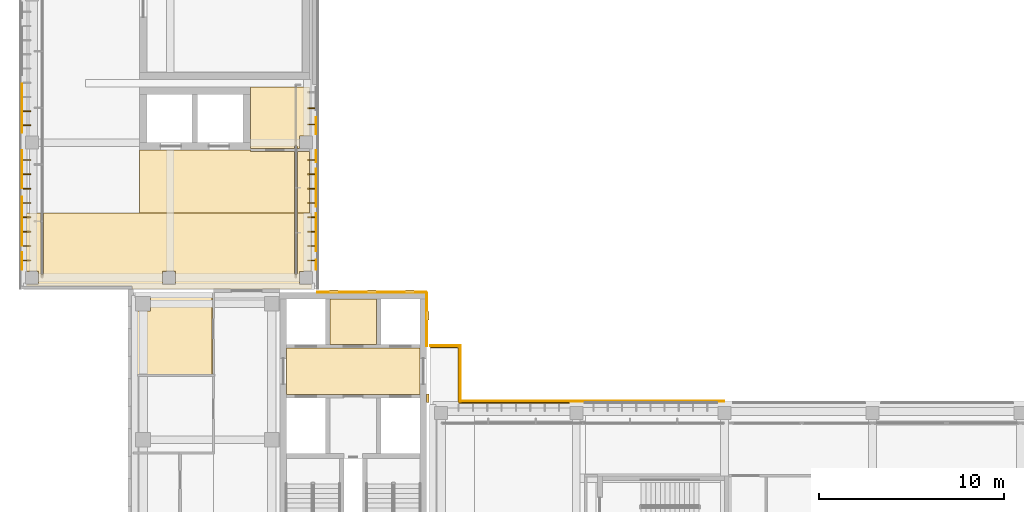
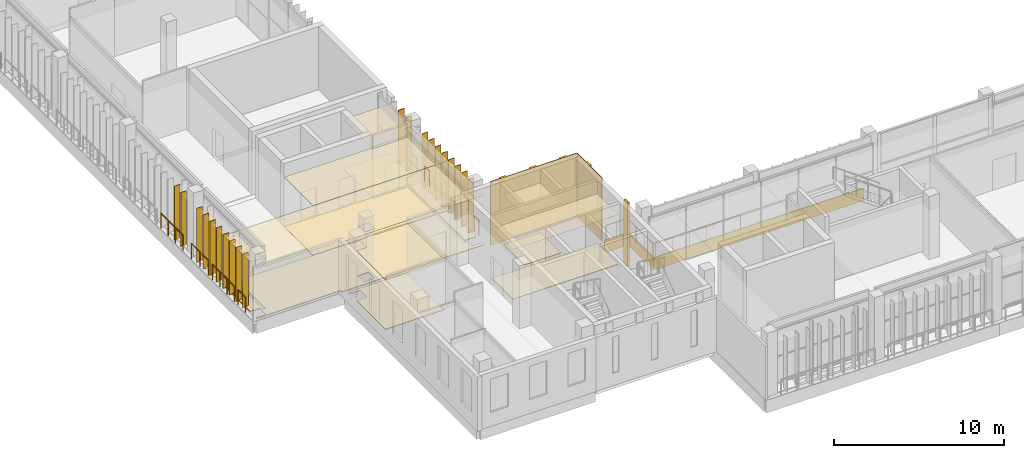
# One storey, part 32 of 46: 24 coverings, 20 shading devices, 10 railings.
"""IFC4 building model written with IfcOpenShell, lengths in metres."""

from ifc_helpers import new_model, si_unit, direction, frame, frame_2d, origin, origin_2d, place, context, subcontext, project, spatial, polyline, rectangle, circle, outline, extrude, material, layer, layer_set, type_object, element, save


model = new_model("IFC4")

# Units and contexts
model_context = context("Model", 3, precision=1e-05, world=origin(), true_north=direction((0.0, 1.0)))
body_context = subcontext(model_context, "Body", "Model", "MODEL_VIEW")
ifc_project = project(units=[si_unit("LENGTHUNIT", "METRE"), si_unit("AREAUNIT", "SQUARE_METRE"), si_unit("VOLUMEUNIT", "CUBIC_METRE"), si_unit("PLANEANGLEUNIT", "RADIAN"), si_unit("MASSUNIT", "GRAM", prefix="KILO")], contexts=[model_context])

# Site, building, storey
site_placement = place(None, origin())
site = spatial("IfcSite", under=ifc_project, at=site_placement, CompositionType="ELEMENT")
building_placement = place(site_placement, origin())
building = spatial("IfcBuilding", under=site, at=building_placement, Name="Lantern Court Media Centre", CompositionType="ELEMENT")
storey_placement = place(building_placement, frame((0.0, 0.0, 28.800048828125)))
storey = spatial("IfcBuildingStorey", under=building, at=storey_placement, Name="L06", CompositionType="ELEMENT", Elevation=28.800048828125)

# Coverings
ifc_material_1 = material(Name="Carpet")
ifc_layer_1 = layer(ifc_material_1, 0.050048828125)
ifc_layer_set_1 = layer_set([ifc_layer_1], Name="Carpet")
covering_type_1 = type_object("IfcCoveringType", Name="Carpet floor finish", PredefinedType="FLOORING", material=ifc_layer_set_1)
covering_1_placement = place(storey_placement, origin())
element("IfcCovering", 1, at=covering_1_placement, inside=storey, type_object=covering_type_1, Name="Library Administration Office floor finish", PredefinedType="FLOORING", context=body_context, shape_type="SweptSolid", body=[
    extrude(outline(polyline([(8.300048828125, 63.89990234375), (12.33251953125, 63.89990234375), (12.33251953125, 59.48193359375), (8.300048828125, 59.48193359375), (8.300048828125, 62.89501953125), (9.0048828125, 62.89990234375), (9.004150390625, 63.702880859375), (8.300048828125, 63.705078125), (8.300048828125, 63.89990234375)])), origin(), (0.0, 0.0, 1.0), 0.050048828125),
])
ifc_material_2 = material(Name="Ceramic tile")
ifc_layer_2 = layer(ifc_material_2, 0.050048828125)
ifc_layer_set_2 = layer_set([ifc_layer_2], Name="Ceramic tile")
covering_type_2 = type_object("IfcCoveringType", Name="Ceramic tile floor finish", PredefinedType="FLOORING", material=ifc_layer_set_2)
covering_2_placement = place(storey_placement, origin())
element("IfcCovering", 2, at=covering_2_placement, inside=storey, type_object=covering_type_2, Name="Accessible WC floor finish", PredefinedType="FLOORING", context=body_context, shape_type="SweptSolid", body=[
    extrude(outline(polyline([(17.60009765625, 75.0), (17.60009765625, 72.35498046875), (17.046142578125, 72.353271484375), (17.044921875, 71.679931640625), (16.929931640625, 71.679931640625), (16.925048828125, 71.804931640625), (16.771728515625, 71.803955078125), (16.77001953125, 71.679931640625), (14.405029296875, 71.679931640625), (14.405029296875, 75.0), (17.60009765625, 75.0)])), origin(), (0.0, 0.0, 1.0), 0.050048828125),
])
covering_3_placement = place(storey_placement, origin())
element("IfcCovering", 3, at=covering_3_placement, inside=storey, type_object=covering_type_2, Name="Accessible WC floor finish", PredefinedType="FLOORING", context=body_context, shape_type="SweptSolid", body=[
    extrude(outline(polyline([(21.195068359375, 63.544921875), (21.195068359375, 61.10498046875), (18.705078125, 61.10498046875), (18.705078125, 63.544921875), (21.195068359375, 63.544921875)])), origin(), (0.0, 0.0, 1.0), 0.050048828125),
])

# Railings
ifc_material_3 = material(Name="Powder-coated steel", Category="steel")
railing_type = type_object("IfcRailingType", Name="Floor edge guard 1100", PredefinedType="GUARDRAIL", material=ifc_material_3)
railing_1_placement = place(storey_placement, frame((2.06005859375, 65.158935546875, 0.0)))
element("IfcRailing", 4, at=railing_1_placement, inside=storey, type_object=railing_type, Name="L06 edge guard 207", PredefinedType="GUARDRAIL", context=body_context, shape_type="SweptSolid", body=[
    extrude(circle(Radius=0.02392578125, at=origin_2d()), frame((0.0, 0.0, 1.076171875), z_axis=(0.0, 1.0, 0.0), x_axis=(-1.0, 0.0, 0.0)), (0.0, 0.0, 1.0), 0.899169921875),
    extrude(circle(Radius=0.02099609375, at=origin_2d()), origin(), (0.0, 0.0, 1.0), 1.052001953125),
    extrude(circle(Radius=0.02099609375, at=origin_2d()), frame((0.0, 0.899169921875, 0.0)), (0.0, 0.0, 1.0), 1.052001953125),
])
railing_2_placement = place(storey_placement, frame((2.06005859375, 66.4580078125, 0.0)))
element("IfcRailing", 5, at=railing_2_placement, inside=storey, type_object=railing_type, Name="L06 edge guard 208", PredefinedType="GUARDRAIL", context=body_context, shape_type="SweptSolid", body=[
    extrude(circle(Radius=0.02392578125, at=origin_2d()), frame((0.0, 0.0, 1.076171875), z_axis=(0.0, 1.0, 0.0), x_axis=(-1.0, 0.0, 0.0)), (0.0, 0.0, 1.0), 2.597900390625),
    extrude(circle(Radius=0.02099609375, at=origin_2d()), origin(), (0.0, 0.0, 1.0), 1.052001953125),
    extrude(circle(Radius=0.02099609375, at=origin_2d()), frame((0.0, 0.865966796875, 0.0)), (0.0, 0.0, 1.0), 1.052001953125),
    extrude(circle(Radius=0.02099609375, at=origin_2d()), frame((0.0, 1.73193359375, 0.0)), (0.0, 0.0, 1.0), 1.052001953125),
    extrude(circle(Radius=0.02099609375, at=origin_2d()), frame((0.0, 2.597900390625, 0.0)), (0.0, 0.0, 1.0), 1.052001953125),
])
railing_3_placement = place(storey_placement, frame((2.06005859375, 69.554931640625, 0.0)))
element("IfcRailing", 6, at=railing_3_placement, inside=storey, type_object=railing_type, Name="L06 edge guard 209", PredefinedType="GUARDRAIL", context=body_context, shape_type="SweptSolid", body=[
    extrude(circle(Radius=0.02392578125, at=origin_2d()), frame((0.0, 0.0, 1.076171875), z_axis=(0.0, 1.0, 0.0), x_axis=(-1.0, 0.0, 0.0)), (0.0, 0.0, 1.0), 1.9990234375),
    extrude(circle(Radius=0.02099609375, at=origin_2d()), origin(), (0.0, 0.0, 1.0), 1.052001953125),
    extrude(circle(Radius=0.02099609375, at=origin_2d()), frame((0.0, 0.99951171875, 0.0)), (0.0, 0.0, 1.0), 1.052001953125),
    extrude(circle(Radius=0.02099609375, at=origin_2d()), frame((0.0, 1.9990234375, 0.0)), (0.0, 0.0, 1.0), 1.052001953125),
])
railing_4_placement = place(storey_placement, frame((2.06005859375, 72.552978515625, 0.0)))
element("IfcRailing", 7, at=railing_4_placement, inside=storey, type_object=railing_type, Name="L06 edge guard 210", PredefinedType="GUARDRAIL", context=body_context, shape_type="SweptSolid", body=[
    extrude(circle(Radius=0.02392578125, at=origin_2d()), frame((0.0, 0.0, 1.076171875), z_axis=(0.0, 1.0, 0.0), x_axis=(-1.0, 0.0, 0.0)), (0.0, 0.0, 1.0), 2.597900390625),
    extrude(circle(Radius=0.02099609375, at=origin_2d()), origin(), (0.0, 0.0, 1.0), 1.052001953125),
    extrude(circle(Radius=0.02099609375, at=origin_2d()), frame((0.0, 0.865966796875, 0.0)), (0.0, 0.0, 1.0), 1.052001953125),
    extrude(circle(Radius=0.02099609375, at=origin_2d()), frame((0.0, 1.73193359375, 0.0)), (0.0, 0.0, 1.0), 1.052001953125),
    extrude(circle(Radius=0.02099609375, at=origin_2d()), frame((0.0, 2.597900390625, 0.0)), (0.0, 0.0, 1.0), 1.052001953125),
])
railing_5_placement = place(storey_placement, frame((17.93994140625, 73.35888671875, 0.0)))
element("IfcRailing", 8, at=railing_5_placement, inside=storey, type_object=railing_type, Name="L06 edge guard 227", PredefinedType="GUARDRAIL", context=body_context, shape_type="SweptSolid", body=[
    extrude(circle(Radius=0.02392578125, at=origin_2d()), frame((0.0, 0.0, 1.076171875), z_axis=(0.0, -1.0, 0.0), x_axis=(1.0, 0.0, 0.0)), (0.0, 0.0, 1.0), 0.89892578125),
    extrude(circle(Radius=0.02099609375, at=origin_2d()), origin(), (0.0, 0.0, 1.0), 1.052001953125),
    extrude(circle(Radius=0.02099609375, at=origin_2d()), frame((0.0, -0.89892578125, 0.0)), (0.0, 0.0, 1.0), 1.052001953125),
])
railing_6_placement = place(storey_placement, frame((17.93994140625, 71.56005859375, 0.0)))
element("IfcRailing", 9, at=railing_6_placement, inside=storey, type_object=railing_type, Name="L06 edge guard 228", PredefinedType="GUARDRAIL", context=body_context, shape_type="SweptSolid", body=[
    extrude(circle(Radius=0.02392578125, at=origin_2d()), frame((0.0, 0.0, 1.076171875), z_axis=(0.0, -1.0, 0.0), x_axis=(1.0, 0.0, 0.0)), (0.0, 0.0, 1.0), 0.59912109375),
    extrude(circle(Radius=0.02099609375, at=origin_2d()), origin(), (0.0, 0.0, 1.0), 1.052001953125),
    extrude(circle(Radius=0.02099609375, at=origin_2d()), frame((0.0, -0.59912109375, 0.0)), (0.0, 0.0, 1.0), 1.052001953125),
])
for number, where, name in (
    (10, (17.93994140625, 70.56103515625, 0.0), "L06 edge guard 229"),
    (11, (17.93994140625, 68.1630859375, 0.0), "L06 edge guard 230"),
):
    element("IfcRailing", number, at=place(storey_placement, frame(where)), inside=storey, type_object=railing_type, Name=name, PredefinedType="GUARDRAIL", context=body_context, shape_type="SweptSolid", body=[
        extrude(circle(Radius=0.02392578125, at=origin_2d()), frame((0.0, 0.0, 1.076171875), z_axis=(0.0, -1.0, 0.0), x_axis=(1.0, 0.0, 0.0)), (0.0, 0.0, 1.0), 1.998046875),
        extrude(circle(Radius=0.02099609375, at=origin_2d()), origin(), (0.0, 0.0, 1.0), 1.052001953125),
        extrude(circle(Radius=0.02099609375, at=origin_2d()), frame((0.0, -0.9990234375, 0.0)), (0.0, 0.0, 1.0), 1.052001953125),
        extrude(circle(Radius=0.02099609375, at=origin_2d()), frame((0.0, -1.998046875, 0.0)), (0.0, 0.0, 1.0), 1.052001953125),
    ])
railing_7_placement = place(storey_placement, frame((17.93994140625, 65.6650390625, 0.0)))
element("IfcRailing", 12, at=railing_7_placement, inside=storey, type_object=railing_type, Name="L06 edge guard 231", PredefinedType="GUARDRAIL", context=body_context, shape_type="SweptSolid", body=[
    extrude(circle(Radius=0.02392578125, at=origin_2d()), frame((0.0, 0.0, 1.076171875), z_axis=(0.0, -1.0, 0.0), x_axis=(1.0, 0.0, 0.0)), (0.0, 0.0, 1.0), 0.4990234375),
    extrude(circle(Radius=0.02099609375, at=origin_2d()), origin(), (0.0, 0.0, 1.0), 1.052001953125),
    extrude(circle(Radius=0.02099609375, at=origin_2d()), frame((0.0, -0.4990234375, 0.0)), (0.0, 0.0, 1.0), 1.052001953125),
])
railing_8_placement = place(storey_placement, frame((24.159912109375, 60.93994140625, 0.0)))
element("IfcRailing", 13, at=railing_8_placement, inside=storey, type_object=railing_type, Name="L06 edge guard 232", PredefinedType="GUARDRAIL", context=body_context, shape_type="SweptSolid", body=[
    extrude(circle(Radius=0.02392578125, at=origin_2d()), frame((0.0, 0.0, 1.076171875), z_axis=(1.0, 0.0, 0.0), x_axis=(0.0, 1.0, 0.0)), (0.0, 0.0, 1.0), 1.400146484375),
    extrude(circle(Radius=0.02392578125, at=origin_2d()), frame((1.400146484375, 0.0, 1.076171875), z_axis=(0.96996776307, -0.243233506336, 0.0), x_axis=(0.243233506336, 0.96996776307, 0.0)), (0.0, 0.0, 1.0), 0.082275390625),
    extrude(circle(Radius=0.02392578125, at=origin_2d()), frame((1.47998046875, -0.02001953125, 1.076171875), z_axis=(0.0, -1.0, 0.0), x_axis=(1.0, 0.0, 0.0)), (0.0, 0.0, 1.0), 2.89892578125),
    extrude(circle(Radius=0.02392578125, at=origin_2d()), frame((1.47998046875, -2.9189453125, 1.076171875), z_axis=(0.533094614395, -0.846055631801, 0.0), x_axis=(0.846055631801, 0.533094614395, 0.0)), (0.0, 0.0, 1.0), 0.092041015625),
    extrude(circle(Radius=0.02392578125, at=origin_2d()), frame((1.529052734375, -2.996826171875, 1.076171875), z_axis=(0.999497701731, -0.031691390543, 0.0), x_axis=(0.031691390543, 0.999497701731, 0.0)), (0.0, 0.0, 1.0), 0.10009765625),
    extrude(circle(Radius=0.02392578125, at=origin_2d()), frame((1.629150390625, -3.0, 1.076171875), z_axis=(1.0, 0.0, 0.0), x_axis=(0.0, 1.0, 0.0)), (0.0, 0.0, 1.0), 5.7978515625),
    extrude(circle(Radius=0.02099609375, at=origin_2d()), origin(), (0.0, 0.0, 1.0), 1.052001953125),
    extrude(circle(Radius=0.02099609375, at=origin_2d()), frame((0.7001953125, 0.0, 0.0)), (0.0, 0.0, 1.0), 1.052001953125),
    extrude(circle(Radius=0.02099609375, at=origin_2d()), frame((1.400146484375, 0.0, 0.0)), (0.0, 0.0, 1.0), 1.052001953125),
    extrude(circle(Radius=0.02099609375, at=origin_2d()), frame((1.47998046875, -0.02001953125, 0.0)), (0.0, 0.0, 1.0), 1.052001953125),
    extrude(circle(Radius=0.02099609375, at=origin_2d()), frame((1.47998046875, -0.986328125, 0.0)), (0.0, 0.0, 1.0), 1.052001953125),
    extrude(circle(Radius=0.02099609375, at=origin_2d()), frame((1.47998046875, -1.95263671875, 0.0)), (0.0, 0.0, 1.0), 1.052001953125),
    extrude(circle(Radius=0.02099609375, at=origin_2d()), frame((1.47998046875, -2.9189453125, 0.0)), (0.0, 0.0, 1.0), 1.052001953125),
    extrude(circle(Radius=0.02099609375, at=origin_2d()), frame((1.529052734375, -2.996826171875, 0.0)), (0.0, 0.0, 1.0), 1.052001953125),
    extrude(circle(Radius=0.02099609375, at=origin_2d()), frame((1.629150390625, -3.0, 0.0)), (0.0, 0.0, 1.0), 1.052001953125),
    extrude(circle(Radius=0.02099609375, at=origin_2d()), frame((2.788818359375, -3.0, 0.0)), (0.0, 0.0, 1.0), 1.052001953125),
    extrude(circle(Radius=0.02099609375, at=origin_2d()), frame((3.9482421875, -3.0, 0.0)), (0.0, 0.0, 1.0), 1.052001953125),
    extrude(circle(Radius=0.02099609375, at=origin_2d()), frame((5.10791015625, -3.0, 0.0)), (0.0, 0.0, 1.0), 1.052001953125),
    extrude(circle(Radius=0.02099609375, at=origin_2d()), frame((6.267333984375, -3.0, 0.0)), (0.0, 0.0, 1.0), 1.052001953125),
    extrude(circle(Radius=0.02099609375, at=origin_2d()), frame((7.427001953125, -3.0, 0.0)), (0.0, 0.0, 1.0), 1.052001953125),
])

# Coverings
ifc_material_4 = material(Name="White glass-fibre reinforced cement cladding", Category="concrete")
ifc_layer_3 = layer(ifc_material_4, 0.050048828125)
ifc_layer_set_3 = layer_set([ifc_layer_3], Name="White glass-fibre reinforced cement cladding")
covering_type_3 = type_object("IfcCoveringType", Name="Floor-edge band 50", PredefinedType="CLADDING", material=ifc_layer_set_3)
covering_4_placement = place(storey_placement, frame((25.75, 58.02490234375, -0.900146484375), z_axis=(0.0, 0.0, 1.0), x_axis=(1.0, 0.0, 0.0)))
element("IfcCovering", 14, at=covering_4_placement, inside=storey, type_object=covering_type_3, Name="Floor-edge band S inner L06", PredefinedType="CLADDING", context=body_context, shape_type="SweptSolid", body=[
    extrude(rectangle(XDim=14.25, YDim=0.050048828125, at=frame_2d((7.125, 0.0))), origin(), (0.0, 0.0, 1.0), 0.900146484375),
])
covering_5_placement = place(storey_placement, frame((24.10009765625, 61.02490234375, -0.900146484375), z_axis=(0.0, 0.0, 1.0), x_axis=(1.0, 0.0, 0.0)))
element("IfcCovering", 15, at=covering_5_placement, inside=storey, type_object=covering_type_3, Name="Floor-edge band S inner L06", PredefinedType="CLADDING", context=body_context, shape_type="SweptSolid", body=[
    extrude(rectangle(XDim=1.599853515625, YDim=0.050048828125, at=frame_2d((0.7998046875, 0.0))), origin(), (0.0, 0.0, 1.0), 0.900146484375),
])
covering_6_placement = place(storey_placement, frame((25.72509765625, 58.0, -0.900146484375), z_axis=(0.0, 0.0, 1.0), x_axis=(0.0, 1.0, 0.0)))
element("IfcCovering", 16, at=covering_6_placement, inside=storey, type_object=covering_type_3, Name="Floor-edge band S inner L06", PredefinedType="CLADDING", context=body_context, shape_type="SweptSolid", body=[
    extrude(rectangle(XDim=3.050048828125, YDim=0.050048828125, at=frame_2d((1.52490234375, 0.0))), origin(), (0.0, 0.0, 1.0), 0.900146484375),
])
ifc_material_5 = material(Name="Honed limestone cladding", Category="masonry")
ifc_layer_4 = layer(ifc_material_5, 0.050048828125)
ifc_layer_set_4 = layer_set([ifc_layer_4], Name="Honed limestone cladding")
covering_type_4 = type_object("IfcCoveringType", Name="Limestone cladding panel 50", PredefinedType="CLADDING", material=ifc_layer_set_4)
covering_7_placement = place(storey_placement, frame((23.925048828125, 61.0, 0.0), z_axis=(0.0, 0.0, 1.0), x_axis=(0.0, 1.0, 0.0)))
element("IfcCovering", 17, at=covering_7_placement, inside=storey, type_object=covering_type_4, Name="Limestone joint cladding S-SW L06", PredefinedType="CLADDING", context=body_context, shape_type="SweptSolid", body=[
    extrude(rectangle(XDim=2.89990234375, YDim=0.050048828125, at=frame_2d((1.449951171875, 0.0))), origin(), (0.0, 0.0, 1.0), 4.579833984375),
])
covering_8_placement = place(storey_placement, frame((18.0, 63.925048828125, 0.0), z_axis=(0.0, 0.0, 1.0), x_axis=(1.0, 0.0, 0.0)))
element("IfcCovering", 18, at=covering_8_placement, inside=storey, type_object=covering_type_4, Name="Limestone joint cladding W-SW L06", PredefinedType="CLADDING", context=body_context, shape_type="SweptSolid", body=[
    extrude(rectangle(XDim=5.89990234375, YDim=0.050048828125, at=frame_2d((2.949951171875, 0.0))), origin(), (0.0, 0.0, 1.0), 4.579833984375),
])
ifc_layer_5 = layer(ifc_material_5, 0.14990234375)
ifc_layer_set_5 = layer_set([ifc_layer_5], Name="Honed limestone cladding")
covering_type_5 = type_object("IfcCoveringType", Name="Limestone pilaster cladding 150", PredefinedType="CLADDING", material=ifc_layer_set_5)
for number, where, z_axis, x_axis, name in (
    (19, (18.675048828125, 63.97509765625, 0.0), (0.0, 0.0, 1.0), (1.0, 0.0, 0.0), "Limestone pilaster rib"),
    (20, (20.72509765625, 63.97509765625, 0.0), (0.0, 0.0, 1.0), (1.0, 0.0, 0.0), "Limestone pilaster rib"),
):
    element("IfcCovering", number, at=place(storey_placement, frame(where, z_axis=z_axis, x_axis=x_axis)), inside=storey, type_object=covering_type_5, Name=name, PredefinedType="CLADDING", context=body_context, shape_type="SweptSolid", body=[
        extrude(rectangle(XDim=0.449951171875, YDim=0.14990234375, at=frame_2d((0.22509765625, 0.0))), origin(), (0.0, 0.0, 1.0), 4.579833984375),
    ])
for number, where, z_axis, x_axis, name in (
    (21, (22.77490234375, 63.97509765625, 0.0), (0.0, 0.0, 1.0), (1.0, 0.0, 0.0), "Limestone pilaster rib"),
    (22, (23.97509765625, 57.958251953125, 0.0), (0.0, 0.0, 1.0), (0.0, 1.0, 0.0), "Limestone pilaster rib"),
):
    element("IfcCovering", number, at=place(storey_placement, frame(where, z_axis=z_axis, x_axis=x_axis)), inside=storey, type_object=covering_type_5, Name=name, PredefinedType="CLADDING", context=body_context, shape_type="SweptSolid", body=[
        extrude(rectangle(XDim=0.4501953125, YDim=0.14990234375, at=frame_2d((0.22509765625, 0.0))), origin(), (0.0, 0.0, 1.0), 4.579833984375),
    ])
covering_9_placement = place(storey_placement, frame((23.97509765625, 62.425048828125, 0.0), z_axis=(0.0, 0.0, 1.0), x_axis=(0.0, 1.0, 0.0)))
element("IfcCovering", 23, at=covering_9_placement, inside=storey, type_object=covering_type_5, Name="Limestone pilaster rib", PredefinedType="CLADDING", context=body_context, shape_type="SweptSolid", body=[
    extrude(rectangle(XDim=0.449951171875, YDim=0.14990234375, at=frame_2d((0.22509765625, 0.0))), origin(), (0.0, 0.0, 1.0), 4.579833984375),
])
ifc_material_6 = material(Name="Mineral fibre ceiling tile")
ifc_layer_6 = layer(ifc_material_6, 0.02001953125)
ifc_layer_set_6 = layer_set([ifc_layer_6], Name="Mineral fibre ceiling tile")
covering_type_6 = type_object("IfcCoveringType", Name="Suspended ceiling tile", PredefinedType="CEILING", material=ifc_layer_set_6)
covering_10_placement = place(storey_placement, frame((0.0, 0.0, 3.599853515625)))
element("IfcCovering", 24, at=covering_10_placement, inside=storey, type_object=covering_type_6, Name="End Lobby ceiling", PredefinedType="CEILING", context=body_context, shape_type="SweptSolid", body=[
    extrude(outline(polyline([(17.699951171875, 64.10009765625), (8.00048828125, 64.10009765625), (8.0, 64.240478515625), (2.300048828125, 64.240478515625), (2.300048828125, 64.349609375), (2.950439453125, 64.35009765625), (2.950439453125, 65.05029296875), (2.300048828125, 65.050537109375), (2.300048828125, 68.199951171875), (3.074462890625, 68.199951171875), (3.074951171875, 64.8994140625), (3.2255859375, 64.89990234375), (3.2255859375, 68.199951171875), (16.7744140625, 68.199951171875), (16.77490234375, 64.8994140625), (16.925537109375, 64.89990234375), (16.925537109375, 68.199951171875), (17.699951171875, 68.199951171875), (17.699951171875, 65.050537109375), (17.049560546875, 65.050048828125), (17.049560546875, 64.349609375), (17.699951171875, 64.349609375), (17.699951171875, 64.10009765625)]), holes=[polyline([(10.3505859375, 65.050048828125), (9.649658203125, 65.05029296875), (9.649658203125, 64.349609375), (10.350341796875, 64.349609375), (10.3505859375, 65.050048828125)])]), origin(), (0.0, 0.0, 1.0), 0.02001953125),
])
covering_11_placement = place(storey_placement, frame((0.0, 0.0, 3.599853515625)))
element("IfcCovering", 25, at=covering_11_placement, inside=storey, type_object=covering_type_6, Name="Lift Lobby ceiling", PredefinedType="CEILING", context=body_context, shape_type="SweptSolid", body=[
    extrude(outline(polyline([(16.7744140625, 71.60009765625), (16.7744140625, 68.199951171875), (8.39990234375, 68.199951171875), (8.39990234375, 71.599609375), (14.3994140625, 71.599609375), (14.39990234375, 71.5244140625), (16.77001953125, 71.5244140625), (16.7744140625, 71.60009765625)])), origin(), (0.0, 0.0, 1.0), 0.02001953125),
])
covering_12_placement = place(storey_placement, frame((0.0, 0.0, 3.599853515625)))
element("IfcCovering", 26, at=covering_12_placement, inside=storey, type_object=covering_type_6, Name="Lift Lobby ceiling", PredefinedType="CEILING", context=body_context, shape_type="SweptSolid", body=[
    extrude(outline(polyline([(17.60009765625, 68.199951171875), (16.925537109375, 68.199951171875), (16.925537109375, 71.60009765625), (16.929931640625, 71.5244140625), (17.60009765625, 71.5244140625), (17.60009765625, 68.199951171875)])), origin(), (0.0, 0.0, 1.0), 0.02001953125),
])
covering_13_placement = place(storey_placement, frame((0.0, 0.0, 3.599853515625)))
element("IfcCovering", 27, at=covering_13_placement, inside=storey, type_object=covering_type_6, Name="Accessible WC ceiling", PredefinedType="CEILING", context=body_context, shape_type="SweptSolid", body=[
    extrude(outline(polyline([(17.60009765625, 75.0), (17.60009765625, 72.3505859375), (17.049560546875, 72.350341796875), (17.049560546875, 71.675537109375), (16.9296875, 71.675537109375), (16.925537109375, 71.60009765625), (16.925048828125, 71.800537109375), (16.774658203125, 71.80029296875), (16.7744140625, 71.60009765625), (16.77001953125, 71.675537109375), (14.400390625, 71.675537109375), (14.400390625, 75.0), (17.60009765625, 75.0)])), origin(), (0.0, 0.0, 1.0), 0.02001953125),
])
covering_14_placement = place(storey_placement, frame((0.0, 0.0, 3.599853515625)))
element("IfcCovering", 28, at=covering_14_placement, inside=storey, type_object=covering_type_6, Name="Lift Lobby ceiling", PredefinedType="CEILING", context=body_context, shape_type="SweptSolid", body=[
    extrude(outline(polyline([(16.3505859375, 58.400390625), (16.3505859375, 60.8994140625), (23.549560546875, 60.8994140625), (23.549560546875, 58.400390625), (16.3505859375, 58.400390625)])), origin(), (0.0, 0.0, 1.0), 0.02001953125),
])
covering_15_placement = place(storey_placement, frame((0.0, 0.0, 3.599853515625)))
element("IfcCovering", 29, at=covering_15_placement, inside=storey, type_object=covering_type_6, Name="Accessible WC ceiling", PredefinedType="CEILING", context=body_context, shape_type="SweptSolid", body=[
    extrude(outline(polyline([(21.199462890625, 63.549560546875), (21.199462890625, 61.1005859375), (18.700439453125, 61.1005859375), (18.700439453125, 63.549560546875), (21.199462890625, 63.549560546875)])), origin(), (0.0, 0.0, 1.0), 0.02001953125),
])
covering_16_placement = place(storey_placement, frame((0.0, 0.0, 3.599853515625)))
element("IfcCovering", 30, at=covering_16_placement, inside=storey, type_object=covering_type_6, Name="Library Administration Office ceiling", PredefinedType="CEILING", context=body_context, shape_type="SweptSolid", body=[
    extrude(outline(polyline([(8.300048828125, 63.89990234375), (12.3369140625, 63.89990234375), (12.3369140625, 59.4775390625), (8.300048828125, 59.4775390625), (8.300048828125, 62.8994140625), (9.00048828125, 62.89990234375), (9.00048828125, 63.7001953125), (8.300048828125, 63.700439453125), (8.300048828125, 63.89990234375)])), origin(), (0.0, 0.0, 1.0), 0.02001953125),
])
ifc_material_7 = material(Name="Terrazzo")
ifc_layer_7 = layer(ifc_material_7, 0.050048828125)
ifc_layer_set_7 = layer_set([ifc_layer_7], Name="Terrazzo")
covering_type_7 = type_object("IfcCoveringType", Name="Terrazzo floor finish", PredefinedType="FLOORING", material=ifc_layer_set_7)
covering_17_placement = place(storey_placement, origin())
element("IfcCovering", 31, at=covering_17_placement, inside=storey, type_object=covering_type_7, Name="End Lobby floor finish", PredefinedType="FLOORING", context=body_context, shape_type="SweptSolid", body=[
    extrude(outline(polyline([(17.699951171875, 64.10009765625), (8.0048828125, 64.10009765625), (8.0, 64.2451171875), (2.300048828125, 64.2451171875), (2.300048828125, 64.344970703125), (2.955078125, 64.35009765625), (2.95361328125, 65.053466796875), (2.300048828125, 65.054931640625), (2.300048828125, 68.199951171875), (3.070068359375, 68.199951171875), (3.074951171875, 64.89501953125), (3.22998046875, 64.89990234375), (3.22998046875, 68.199951171875), (16.77001953125, 68.199951171875), (16.77490234375, 64.89501953125), (16.929931640625, 64.89990234375), (16.929931640625, 68.199951171875), (17.699951171875, 68.199951171875), (17.699951171875, 65.054931640625), (17.044921875, 65.050048828125), (17.0458984375, 64.34716796875), (17.699951171875, 64.344970703125), (17.699951171875, 64.10009765625)]), holes=[polyline([(10.35009765625, 64.344970703125), (10.353515625, 65.053466796875), (9.646484375, 65.053466796875), (9.646484375, 64.346435546875), (10.35009765625, 64.344970703125)])]), origin(), (0.0, 0.0, 1.0), 0.050048828125),
])
covering_18_placement = place(storey_placement, origin())
element("IfcCovering", 32, at=covering_18_placement, inside=storey, type_object=covering_type_7, Name="Lift Lobby floor finish", PredefinedType="FLOORING", context=body_context, shape_type="SweptSolid", body=[
    extrude(outline(polyline([(8.39990234375, 68.199951171875), (8.39990234375, 71.594970703125), (14.39501953125, 71.594970703125), (14.39990234375, 71.52001953125), (16.77001953125, 71.52001953125), (16.77001953125, 68.199951171875), (8.39990234375, 68.199951171875)])), origin(), (0.0, 0.0, 1.0), 0.050048828125),
])
covering_19_placement = place(storey_placement, origin())
element("IfcCovering", 33, at=covering_19_placement, inside=storey, type_object=covering_type_7, Name="Lift Lobby floor finish", PredefinedType="FLOORING", context=body_context, shape_type="SweptSolid", body=[
    extrude(outline(polyline([(17.60009765625, 68.199951171875), (16.929931640625, 68.199951171875), (16.929931640625, 71.52001953125), (17.60009765625, 71.52001953125), (17.60009765625, 68.199951171875)])), origin(), (0.0, 0.0, 1.0), 0.050048828125),
])
covering_20_placement = place(storey_placement, origin())
element("IfcCovering", 34, at=covering_20_placement, inside=storey, type_object=covering_type_7, Name="Lift Lobby floor finish", PredefinedType="FLOORING", context=body_context, shape_type="SweptSolid", body=[
    extrude(outline(polyline([(16.35498046875, 58.405029296875), (16.35498046875, 60.89501953125), (23.544921875, 60.89501953125), (23.544921875, 58.405029296875), (16.35498046875, 58.405029296875)])), origin(), (0.0, 0.0, 1.0), 0.050048828125),
])

# Shading devices
ifc_material_8 = material(Name="Bronze anodised aluminium louvre", Category="aluminium")
ifc_layer_8 = layer(ifc_material_8, 0.0400390625)
ifc_layer_set_8 = layer_set([ifc_layer_8], Name="Bronze anodised aluminium louvre")
shading_device_type = type_object("IfcShadingDeviceType", Name="Vertical louvre 40x400 under beam", PredefinedType="USERDEFINED", material=ifc_layer_set_8)
for number, where, z_axis, x_axis, name in (
    (35, (2.320068359375, 65.637451171875, 0.0), (0.0, 0.0, 1.0), (1.0, 0.0, 0.0), "Vertical louvre W outer L06"),
    (36, (2.320068359375, 66.41259765625, 0.0), (0.0, 0.0, 1.0), (1.0, 0.0, 0.0), "Vertical louvre W outer L06"),
    (37, (2.320068359375, 67.1875, 0.0), (0.0, 0.0, 1.0), (1.0, 0.0, 0.0), "Vertical louvre W outer L06"),
    (38, (2.320068359375, 67.96240234375, 0.0), (0.0, 0.0, 1.0), (1.0, 0.0, 0.0), "Vertical louvre W outer L06"),
    (39, (2.320068359375, 68.737548828125, 0.0), (0.0, 0.0, 1.0), (1.0, 0.0, 0.0), "Vertical louvre W outer L06"),
    (40, (2.320068359375, 69.512451171875, 0.0), (0.0, 0.0, 1.0), (1.0, 0.0, 0.0), "Vertical louvre W outer L06"),
    (41, (2.320068359375, 70.28759765625, 0.0), (0.0, 0.0, 1.0), (1.0, 0.0, 0.0), "Vertical louvre W outer L06"),
    (42, (2.320068359375, 71.0625, 0.0), (0.0, 0.0, 1.0), (1.0, 0.0, 0.0), "Vertical louvre W outer L06"),
    (43, (2.320068359375, 72.933349609375, 0.0), (0.0, 0.0, 1.0), (1.0, 0.0, 0.0), "Vertical louvre W outer L06"),
    (44, (2.320068359375, 73.699951171875, 0.0), (0.0, 0.0, 1.0), (1.0, 0.0, 0.0), "Vertical louvre W outer L06"),
    (45, (17.679931640625, 65.637451171875, 0.0), (0.0, 0.0, 1.0), (1.0, 0.0, 0.0), "Vertical louvre W inner L06"),
    (46, (17.679931640625, 66.41259765625, 0.0), (0.0, 0.0, 1.0), (1.0, 0.0, 0.0), "Vertical louvre W inner L06"),
    (47, (17.679931640625, 67.1875, 0.0), (0.0, 0.0, 1.0), (1.0, 0.0, 0.0), "Vertical louvre W inner L06"),
    (48, (17.679931640625, 67.96240234375, 0.0), (0.0, 0.0, 1.0), (1.0, 0.0, 0.0), "Vertical louvre W inner L06"),
    (49, (17.679931640625, 68.737548828125, 0.0), (0.0, 0.0, 1.0), (1.0, 0.0, 0.0), "Vertical louvre W inner L06"),
    (50, (17.679931640625, 69.512451171875, 0.0), (0.0, 0.0, 1.0), (1.0, 0.0, 0.0), "Vertical louvre W inner L06"),
    (51, (17.679931640625, 70.28759765625, 0.0), (0.0, 0.0, 1.0), (1.0, 0.0, 0.0), "Vertical louvre W inner L06"),
    (52, (17.679931640625, 71.0625, 0.0), (0.0, 0.0, 1.0), (1.0, 0.0, 0.0), "Vertical louvre W inner L06"),
    (53, (17.679931640625, 72.9833984375, 0.0), (0.0, 0.0, 1.0), (1.0, 0.0, 0.0), "Vertical louvre W inner L06"),
    (54, (17.679931640625, 73.85009765625, 0.0), (0.0, 0.0, 1.0), (1.0, 0.0, 0.0), "Vertical louvre W inner L06"),
):
    element("IfcShadingDevice", number, at=place(storey_placement, frame(where, z_axis=z_axis, x_axis=x_axis)), inside=storey, type_object=shading_device_type, Name=name, ObjectType="VERTICAL LOUVRE", PredefinedType="USERDEFINED", context=body_context, shape_type="SweptSolid", body=[
        extrude(rectangle(XDim=0.39990234375, YDim=0.0400390625, at=origin_2d()), origin(), (0.0, 0.0, 1.0), 3.89990234375),
    ])

save(model, "model.ifc")
